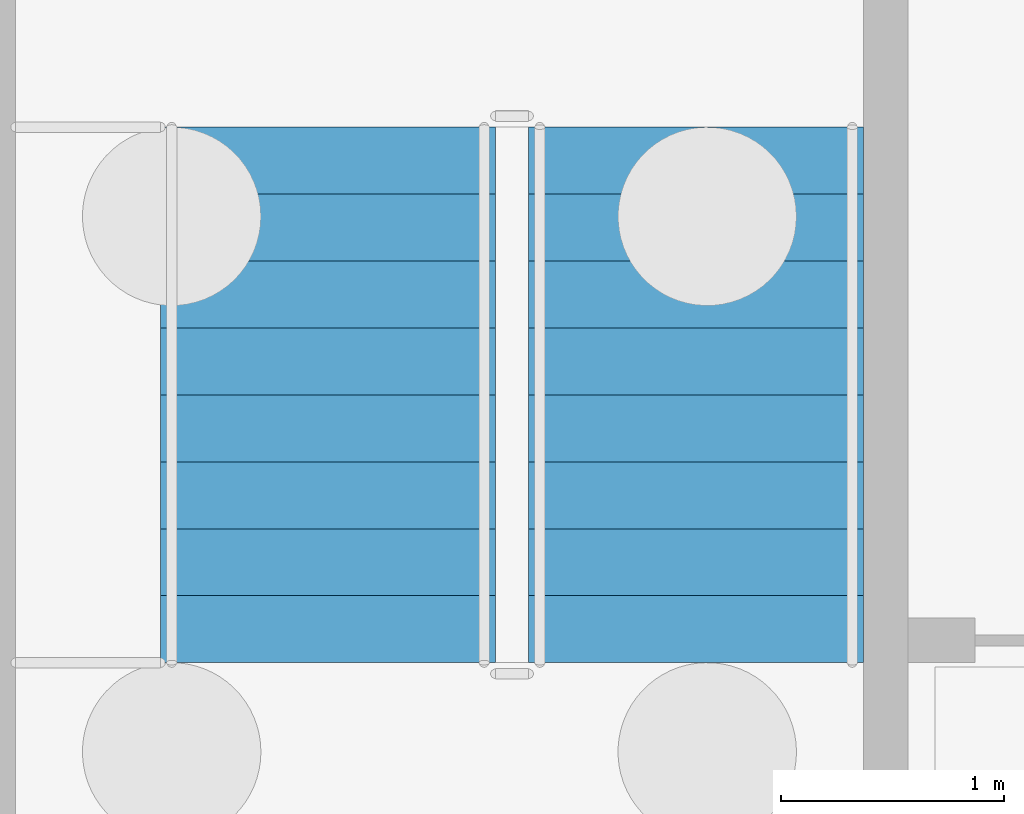
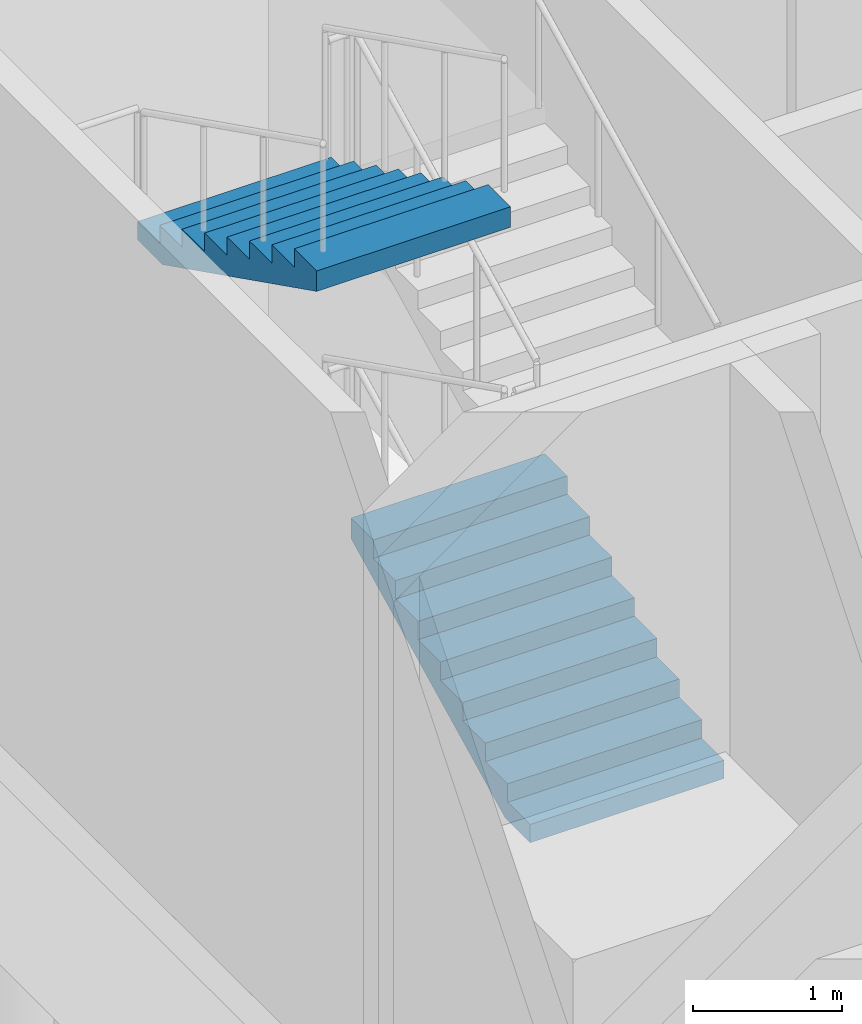
# One storey, part 65 of 129: 2 stair flights, 1 element without a shape of its own.
"""IFC4 building model written with IfcOpenShell, lengths in metres."""

from ifc_helpers import new_model, si_unit, direction, frame, origin, place, context, subcontext, project, spatial, faceted_brep, material, type_object, element, aggregate, save


model = new_model("IFC4")

# Units and contexts
model_context = context("Model", 3, precision=1e-05, world=origin(), true_north=direction((0.0, 1.0)))
body_context = subcontext(model_context, "Body", "Model", "MODEL_VIEW")
ifc_project = project(units=[si_unit("LENGTHUNIT", "METRE"), si_unit("AREAUNIT", "SQUARE_METRE"), si_unit("VOLUMEUNIT", "CUBIC_METRE"), si_unit("PLANEANGLEUNIT", "RADIAN"), si_unit("MASSUNIT", "GRAM", prefix="KILO")], contexts=[model_context])

# Site, building, storey
site_placement = place(None, origin())
site = spatial("IfcSite", under=ifc_project, at=site_placement, CompositionType="ELEMENT")
building_placement = place(site_placement, origin())
building = spatial("IfcBuilding", under=site, at=building_placement, Name="Kiln Court Media Centre", CompositionType="ELEMENT")
storey_placement = place(building_placement, origin())
storey = spatial("IfcBuildingStorey", under=building, at=storey_placement, Name="L00", CompositionType="ELEMENT", Elevation=0.0)

# Stair, stair flights
ifc_material_1 = material(Name="Concrete C40/50", Category="concrete")
stair_type = type_object("IfcStairType", Name="Concrete C40/50 dog-leg stair 1500 wide, 150 riser", PredefinedType="HALF_TURN_STAIR", material=ifc_material_1)
stair_placement = place(storey_placement, origin())
stair = element("IfcStair", 1, at=stair_placement, inside=storey, type_object=stair_type, Name="ST-02 L00", PredefinedType="HALF_TURN_STAIR")
ifc_material_2 = material(Name="Concrete C40/50", Category="concrete")
stair_flight_type = type_object("IfcStairFlightType", Name="Concrete C40/50 stair flight 1500 wide, 150 riser, 300 going", PredefinedType="STRAIGHT", material=ifc_material_2)
stair_flight_1_placement = place(storey_placement, frame((3.25, 18.89990234375, 0.0), z_axis=(0.0, 0.0, 1.0), x_axis=(0.0, 1.0, 0.0)))
stair_flight_1 = element("IfcStairFlight", 2, at=stair_flight_1_placement, type_object=stair_flight_type, Name="L00-ST-5001 flight 5004", NumberOfRisers=9, NumberOfTreads=8, PredefinedType="STRAIGHT", RiserHeight=0.15, TreadLength=0.3, context=body_context, shape_type="Brep", body=[
    faceted_brep([(0.335205078125, -0.75, 0.0), (2.39990234375, -0.75, 1.032470703125), (2.39990234375, -0.75, 1.199951171875), (2.10009765625, -0.75, 1.199951171875), (2.10009765625, -0.75, 1.050048828125), (1.800048828125, -0.75, 1.050048828125), (1.800048828125, -0.75, 0.89990234375), (1.5, -0.75, 0.89990234375), (1.5, -0.75, 0.75), (1.199951171875, -0.75, 0.75), (1.199951171875, -0.75, 0.60009765625), (0.89990234375, -0.75, 0.60009765625), (0.89990234375, -0.75, 0.449951171875), (0.60009765625, -0.75, 0.449951171875), (0.60009765625, -0.75, 0.300048828125), (0.300048828125, -0.75, 0.300048828125), (0.300048828125, -0.75, 0.14990234375), (0.0, -0.75, 0.14990234375), (0.0, -0.75, 0.0), (0.0, 0.75, 0.0), (0.0, 0.75, 0.14990234375), (0.300048828125, 0.75, 0.14990234375), (0.300048828125, 0.75, 0.300048828125), (0.60009765625, 0.75, 0.300048828125), (0.60009765625, 0.75, 0.449951171875), (0.89990234375, 0.75, 0.449951171875), (0.89990234375, 0.75, 0.60009765625), (1.199951171875, 0.75, 0.60009765625), (1.199951171875, 0.75, 0.75), (1.5, 0.75, 0.75), (1.5, 0.75, 0.89990234375), (1.800048828125, 0.75, 0.89990234375), (1.800048828125, 0.75, 1.050048828125), (2.10009765625, 0.75, 1.050048828125), (2.10009765625, 0.75, 1.199951171875), (2.39990234375, 0.75, 1.199951171875), (2.39990234375, 0.75, 1.032470703125), (0.335205078125, 0.75, 0.0), (2.39990234375, 0.10009765625, 1.032470703125), (0.335205078125, 0.10009765625, 0.0), (2.39990234375, 0.080078125, 1.032470703125), (0.335205078125, 0.080078125, 0.0), (2.39990234375, 0.06005859375, 1.032470703125), (0.335205078125, 0.06005859375, 0.0), (2.39990234375, 0.0400390625, 1.032470703125), (0.335205078125, 0.0400390625, 0.0), (2.39990234375, 0.02001953125, 1.032470703125), (0.335205078125, 0.02001953125, 0.0), (2.39990234375, 0.0, 1.032470703125), (0.335205078125, 0.0, 0.0), (2.39990234375, -0.02001953125, 1.032470703125), (0.335205078125, -0.02001953125, 0.0), (2.39990234375, -0.0400390625, 1.032470703125), (0.335205078125, -0.0400390625, 0.0), (2.39990234375, -0.06005859375, 1.032470703125), (0.335205078125, -0.06005859375, 0.0), (2.39990234375, -0.080078125, 1.032470703125), (0.335205078125, -0.080078125, 0.0), (2.39990234375, -0.10009765625, 1.032470703125), (0.335205078125, -0.10009765625, 0.0), (2.39990234375, 0.10009765625, 1.199951171875), (2.39990234375, 0.080078125, 1.199951171875), (2.39990234375, 0.06005859375, 1.199951171875), (2.39990234375, 0.0400390625, 1.199951171875), (2.39990234375, 0.02001953125, 1.199951171875), (2.39990234375, 0.0, 1.199951171875), (2.39990234375, -0.02001953125, 1.199951171875), (2.39990234375, -0.0400390625, 1.199951171875), (2.39990234375, -0.06005859375, 1.199951171875), (2.39990234375, -0.080078125, 1.199951171875), (2.39990234375, -0.10009765625, 1.199951171875), (2.10009765625, 0.10009765625, 1.199951171875), (2.10009765625, 0.080078125, 1.199951171875), (2.10009765625, 0.06005859375, 1.199951171875), (2.10009765625, 0.0400390625, 1.199951171875), (2.10009765625, 0.02001953125, 1.199951171875), (2.10009765625, 0.0, 1.199951171875), (2.10009765625, -0.02001953125, 1.199951171875), (2.10009765625, -0.0400390625, 1.199951171875), (2.10009765625, -0.06005859375, 1.199951171875), (2.10009765625, -0.080078125, 1.199951171875), (2.10009765625, -0.10009765625, 1.199951171875), (2.10009765625, 0.10009765625, 1.050048828125), (2.10009765625, 0.080078125, 1.050048828125), (2.10009765625, 0.06005859375, 1.050048828125), (2.10009765625, 0.0400390625, 1.050048828125), (2.10009765625, 0.02001953125, 1.050048828125), (2.10009765625, 0.0, 1.050048828125), (2.10009765625, -0.02001953125, 1.050048828125), (2.10009765625, -0.0400390625, 1.050048828125), (2.10009765625, -0.06005859375, 1.050048828125), (2.10009765625, -0.080078125, 1.050048828125), (2.10009765625, -0.10009765625, 1.050048828125), (1.800048828125, 0.10009765625, 1.050048828125), (1.800048828125, 0.080078125, 1.050048828125), (1.800048828125, 0.06005859375, 1.050048828125), (1.800048828125, 0.0400390625, 1.050048828125), (1.800048828125, 0.02001953125, 1.050048828125), (1.800048828125, 0.0, 1.050048828125), (1.800048828125, -0.02001953125, 1.050048828125), (1.800048828125, -0.0400390625, 1.050048828125), (1.800048828125, -0.06005859375, 1.050048828125), (1.800048828125, -0.080078125, 1.050048828125), (1.800048828125, -0.10009765625, 1.050048828125), (1.800048828125, 0.10009765625, 0.89990234375), (1.800048828125, 0.080078125, 0.89990234375), (1.800048828125, 0.06005859375, 0.89990234375), (1.800048828125, 0.0400390625, 0.89990234375), (1.800048828125, 0.02001953125, 0.89990234375), (1.800048828125, 0.0, 0.89990234375), (1.800048828125, -0.02001953125, 0.89990234375), (1.800048828125, -0.0400390625, 0.89990234375), (1.800048828125, -0.06005859375, 0.89990234375), (1.800048828125, -0.080078125, 0.89990234375), (1.800048828125, -0.10009765625, 0.89990234375), (1.5, 0.10009765625, 0.89990234375), (1.5, 0.080078125, 0.89990234375), (1.5, 0.06005859375, 0.89990234375), (1.5, 0.0400390625, 0.89990234375), (1.5, 0.02001953125, 0.89990234375), (1.5, 0.0, 0.89990234375), (1.5, -0.02001953125, 0.89990234375), (1.5, -0.0400390625, 0.89990234375), (1.5, -0.06005859375, 0.89990234375), (1.5, -0.080078125, 0.89990234375), (1.5, -0.10009765625, 0.89990234375), (1.5, 0.10009765625, 0.75), (1.5, 0.080078125, 0.75), (1.5, 0.06005859375, 0.75), (1.5, 0.0400390625, 0.75), (1.5, 0.02001953125, 0.75), (1.5, 0.0, 0.75), (1.5, -0.02001953125, 0.75), (1.5, -0.0400390625, 0.75), (1.5, -0.06005859375, 0.75), (1.5, -0.080078125, 0.75), (1.5, -0.10009765625, 0.75), (1.199951171875, 0.10009765625, 0.75), (1.199951171875, 0.080078125, 0.75), (1.199951171875, 0.06005859375, 0.75), (1.199951171875, 0.0400390625, 0.75), (1.199951171875, 0.02001953125, 0.75), (1.199951171875, 0.0, 0.75), (1.199951171875, -0.02001953125, 0.75), (1.199951171875, -0.0400390625, 0.75), (1.199951171875, -0.06005859375, 0.75), (1.199951171875, -0.080078125, 0.75), (1.199951171875, -0.10009765625, 0.75), (1.199951171875, 0.10009765625, 0.60009765625), (1.199951171875, 0.080078125, 0.60009765625), (1.199951171875, 0.06005859375, 0.60009765625), (1.199951171875, 0.0400390625, 0.60009765625), (1.199951171875, 0.02001953125, 0.60009765625), (1.199951171875, 0.0, 0.60009765625), (1.199951171875, -0.02001953125, 0.60009765625), (1.199951171875, -0.0400390625, 0.60009765625), (1.199951171875, -0.06005859375, 0.60009765625), (1.199951171875, -0.080078125, 0.60009765625), (1.199951171875, -0.10009765625, 0.60009765625), (0.89990234375, 0.10009765625, 0.60009765625), (0.89990234375, 0.080078125, 0.60009765625), (0.89990234375, 0.06005859375, 0.60009765625), (0.89990234375, 0.0400390625, 0.60009765625), (0.89990234375, 0.02001953125, 0.60009765625), (0.89990234375, 0.0, 0.60009765625), (0.89990234375, -0.02001953125, 0.60009765625), (0.89990234375, -0.0400390625, 0.60009765625), (0.89990234375, -0.06005859375, 0.60009765625), (0.89990234375, -0.080078125, 0.60009765625), (0.89990234375, -0.10009765625, 0.60009765625), (0.89990234375, 0.10009765625, 0.449951171875), (0.89990234375, 0.080078125, 0.449951171875), (0.89990234375, 0.06005859375, 0.449951171875), (0.89990234375, 0.0400390625, 0.449951171875), (0.89990234375, 0.02001953125, 0.449951171875), (0.89990234375, 0.0, 0.449951171875), (0.89990234375, -0.02001953125, 0.449951171875), (0.89990234375, -0.0400390625, 0.449951171875), (0.89990234375, -0.06005859375, 0.449951171875), (0.89990234375, -0.080078125, 0.449951171875), (0.89990234375, -0.10009765625, 0.449951171875), (0.60009765625, 0.10009765625, 0.449951171875), (0.60009765625, 0.080078125, 0.449951171875), (0.60009765625, 0.06005859375, 0.449951171875), (0.60009765625, 0.0400390625, 0.449951171875), (0.60009765625, 0.02001953125, 0.449951171875), (0.60009765625, 0.0, 0.449951171875), (0.60009765625, -0.02001953125, 0.449951171875), (0.60009765625, -0.0400390625, 0.449951171875), (0.60009765625, -0.06005859375, 0.449951171875), (0.60009765625, -0.080078125, 0.449951171875), (0.60009765625, -0.10009765625, 0.449951171875), (0.60009765625, 0.10009765625, 0.300048828125), (0.60009765625, 0.080078125, 0.300048828125), (0.60009765625, 0.06005859375, 0.300048828125), (0.60009765625, 0.0400390625, 0.300048828125), (0.60009765625, 0.02001953125, 0.300048828125), (0.60009765625, 0.0, 0.300048828125), (0.60009765625, -0.02001953125, 0.300048828125), (0.60009765625, -0.0400390625, 0.300048828125), (0.60009765625, -0.06005859375, 0.300048828125), (0.60009765625, -0.080078125, 0.300048828125), (0.60009765625, -0.10009765625, 0.300048828125), (0.300048828125, 0.10009765625, 0.300048828125), (0.300048828125, 0.080078125, 0.300048828125), (0.300048828125, 0.06005859375, 0.300048828125), (0.300048828125, 0.0400390625, 0.300048828125), (0.300048828125, 0.02001953125, 0.300048828125), (0.300048828125, 0.0, 0.300048828125), (0.300048828125, -0.02001953125, 0.300048828125), (0.300048828125, -0.0400390625, 0.300048828125), (0.300048828125, -0.06005859375, 0.300048828125), (0.300048828125, -0.080078125, 0.300048828125), (0.300048828125, -0.10009765625, 0.300048828125), (0.300048828125, 0.10009765625, 0.14990234375), (0.300048828125, 0.080078125, 0.14990234375), (0.300048828125, 0.06005859375, 0.14990234375), (0.300048828125, 0.0400390625, 0.14990234375), (0.300048828125, 0.02001953125, 0.14990234375), (0.300048828125, 0.0, 0.14990234375), (0.300048828125, -0.02001953125, 0.14990234375), (0.300048828125, -0.0400390625, 0.14990234375), (0.300048828125, -0.06005859375, 0.14990234375), (0.300048828125, -0.080078125, 0.14990234375), (0.300048828125, -0.10009765625, 0.14990234375), (0.0, 0.10009765625, 0.14990234375), (0.0, 0.080078125, 0.14990234375), (0.0, 0.06005859375, 0.14990234375), (0.0, 0.0400390625, 0.14990234375), (0.0, 0.02001953125, 0.14990234375), (0.0, 0.0, 0.14990234375), (0.0, -0.02001953125, 0.14990234375), (0.0, -0.0400390625, 0.14990234375), (0.0, -0.06005859375, 0.14990234375), (0.0, -0.080078125, 0.14990234375), (0.0, -0.10009765625, 0.14990234375), (0.0, 0.10009765625, 0.0), (0.0, 0.080078125, 0.0), (0.0, 0.06005859375, 0.0), (0.0, 0.0400390625, 0.0), (0.0, 0.02001953125, 0.0), (0.0, 0.0, 0.0), (0.0, -0.02001953125, 0.0), (0.0, -0.0400390625, 0.0), (0.0, -0.06005859375, 0.0), (0.0, -0.080078125, 0.0), (0.0, -0.10009765625, 0.0)], [[[0, 1, 2, 3, 4, 5, 6, 7, 8, 9, 10, 11, 12, 13, 14, 15, 16, 17, 18]], [[19, 20, 21, 22, 23, 24, 25, 26, 27, 28, 29, 30, 31, 32, 33, 34, 35, 36, 37]], [[37, 36, 38, 39]], [[39, 38, 40, 41]], [[41, 40, 42, 43]], [[43, 42, 44, 45]], [[45, 44, 46, 47]], [[47, 46, 48, 49]], [[49, 48, 50, 51]], [[51, 50, 52, 53]], [[53, 52, 54, 55]], [[55, 54, 56, 57]], [[57, 56, 58, 59]], [[59, 58, 1, 0]], [[36, 35, 60, 38]], [[38, 60, 61, 40]], [[40, 61, 62, 42]], [[42, 62, 63, 44]], [[44, 63, 64, 46]], [[46, 64, 65, 48]], [[48, 65, 66, 50]], [[50, 66, 67, 52]], [[52, 67, 68, 54]], [[54, 68, 69, 56]], [[56, 69, 70, 58]], [[58, 70, 2, 1]], [[35, 34, 71, 60]], [[60, 71, 72, 61]], [[61, 72, 73, 62]], [[62, 73, 74, 63]], [[63, 74, 75, 64]], [[64, 75, 76, 65]], [[65, 76, 77, 66]], [[66, 77, 78, 67]], [[67, 78, 79, 68]], [[68, 79, 80, 69]], [[69, 80, 81, 70]], [[70, 81, 3, 2]], [[34, 33, 82, 71]], [[71, 82, 83, 72]], [[72, 83, 84, 73]], [[73, 84, 85, 74]], [[74, 85, 86, 75]], [[75, 86, 87, 76]], [[76, 87, 88, 77]], [[77, 88, 89, 78]], [[78, 89, 90, 79]], [[79, 90, 91, 80]], [[80, 91, 92, 81]], [[81, 92, 4, 3]], [[33, 32, 93, 82]], [[82, 93, 94, 83]], [[83, 94, 95, 84]], [[84, 95, 96, 85]], [[85, 96, 97, 86]], [[86, 97, 98, 87]], [[87, 98, 99, 88]], [[88, 99, 100, 89]], [[89, 100, 101, 90]], [[90, 101, 102, 91]], [[91, 102, 103, 92]], [[92, 103, 5, 4]], [[32, 31, 104, 93]], [[93, 104, 105, 94]], [[94, 105, 106, 95]], [[95, 106, 107, 96]], [[96, 107, 108, 97]], [[97, 108, 109, 98]], [[98, 109, 110, 99]], [[99, 110, 111, 100]], [[100, 111, 112, 101]], [[101, 112, 113, 102]], [[102, 113, 114, 103]], [[103, 114, 6, 5]], [[31, 30, 115, 104]], [[104, 115, 116, 105]], [[105, 116, 117, 106]], [[106, 117, 118, 107]], [[107, 118, 119, 108]], [[108, 119, 120, 109]], [[109, 120, 121, 110]], [[110, 121, 122, 111]], [[111, 122, 123, 112]], [[112, 123, 124, 113]], [[113, 124, 125, 114]], [[114, 125, 7, 6]], [[30, 29, 126, 115]], [[115, 126, 127, 116]], [[116, 127, 128, 117]], [[117, 128, 129, 118]], [[118, 129, 130, 119]], [[119, 130, 131, 120]], [[120, 131, 132, 121]], [[121, 132, 133, 122]], [[122, 133, 134, 123]], [[123, 134, 135, 124]], [[124, 135, 136, 125]], [[125, 136, 8, 7]], [[29, 28, 137, 126]], [[126, 137, 138, 127]], [[127, 138, 139, 128]], [[128, 139, 140, 129]], [[129, 140, 141, 130]], [[130, 141, 142, 131]], [[131, 142, 143, 132]], [[132, 143, 144, 133]], [[133, 144, 145, 134]], [[134, 145, 146, 135]], [[135, 146, 147, 136]], [[136, 147, 9, 8]], [[28, 27, 148, 137]], [[137, 148, 149, 138]], [[138, 149, 150, 139]], [[139, 150, 151, 140]], [[140, 151, 152, 141]], [[141, 152, 153, 142]], [[142, 153, 154, 143]], [[143, 154, 155, 144]], [[144, 155, 156, 145]], [[145, 156, 157, 146]], [[146, 157, 158, 147]], [[147, 158, 10, 9]], [[27, 26, 159, 148]], [[148, 159, 160, 149]], [[149, 160, 161, 150]], [[150, 161, 162, 151]], [[151, 162, 163, 152]], [[152, 163, 164, 153]], [[153, 164, 165, 154]], [[154, 165, 166, 155]], [[155, 166, 167, 156]], [[156, 167, 168, 157]], [[157, 168, 169, 158]], [[158, 169, 11, 10]], [[26, 25, 170, 159]], [[159, 170, 171, 160]], [[160, 171, 172, 161]], [[161, 172, 173, 162]], [[162, 173, 174, 163]], [[163, 174, 175, 164]], [[164, 175, 176, 165]], [[165, 176, 177, 166]], [[166, 177, 178, 167]], [[167, 178, 179, 168]], [[168, 179, 180, 169]], [[169, 180, 12, 11]], [[25, 24, 181, 170]], [[170, 181, 182, 171]], [[171, 182, 183, 172]], [[172, 183, 184, 173]], [[173, 184, 185, 174]], [[174, 185, 186, 175]], [[175, 186, 187, 176]], [[176, 187, 188, 177]], [[177, 188, 189, 178]], [[178, 189, 190, 179]], [[179, 190, 191, 180]], [[180, 191, 13, 12]], [[24, 23, 192, 181]], [[181, 192, 193, 182]], [[182, 193, 194, 183]], [[183, 194, 195, 184]], [[184, 195, 196, 185]], [[185, 196, 197, 186]], [[186, 197, 198, 187]], [[187, 198, 199, 188]], [[188, 199, 200, 189]], [[189, 200, 201, 190]], [[190, 201, 202, 191]], [[191, 202, 14, 13]], [[23, 22, 203, 192]], [[192, 203, 204, 193]], [[193, 204, 205, 194]], [[194, 205, 206, 195]], [[195, 206, 207, 196]], [[196, 207, 208, 197]], [[197, 208, 209, 198]], [[198, 209, 210, 199]], [[199, 210, 211, 200]], [[200, 211, 212, 201]], [[201, 212, 213, 202]], [[202, 213, 15, 14]], [[22, 21, 214, 203]], [[203, 214, 215, 204]], [[204, 215, 216, 205]], [[205, 216, 217, 206]], [[206, 217, 218, 207]], [[207, 218, 219, 208]], [[208, 219, 220, 209]], [[209, 220, 221, 210]], [[210, 221, 222, 211]], [[211, 222, 223, 212]], [[212, 223, 224, 213]], [[213, 224, 16, 15]], [[21, 20, 225, 214]], [[214, 225, 226, 215]], [[215, 226, 227, 216]], [[216, 227, 228, 217]], [[217, 228, 229, 218]], [[218, 229, 230, 219]], [[219, 230, 231, 220]], [[220, 231, 232, 221]], [[221, 232, 233, 222]], [[222, 233, 234, 223]], [[223, 234, 235, 224]], [[224, 235, 17, 16]], [[20, 19, 236, 225]], [[225, 236, 237, 226]], [[226, 237, 238, 227]], [[227, 238, 239, 228]], [[228, 239, 240, 229]], [[229, 240, 241, 230]], [[230, 241, 242, 231]], [[231, 242, 243, 232]], [[232, 243, 244, 233]], [[233, 244, 245, 234]], [[234, 245, 246, 235]], [[235, 246, 18, 17]], [[19, 37, 39, 236]], [[236, 39, 41, 237]], [[237, 41, 43, 238]], [[238, 43, 45, 239]], [[239, 45, 47, 240]], [[240, 47, 49, 241]], [[241, 49, 51, 242]], [[242, 51, 53, 243]], [[243, 53, 55, 244]], [[244, 55, 57, 245]], [[245, 57, 59, 246]], [[246, 59, 0, 18]]]),
])
stair_flight_2_placement = place(storey_placement, frame((1.60009765625, 21.300048828125, 4.050048828125), z_axis=(0.0, 0.0, 1.0), x_axis=(0.0, -1.0, 0.0)))
stair_flight_2 = element("IfcStairFlight", 3, at=stair_flight_2_placement, type_object=stair_flight_type, Name="L00-ST-5001 flight 5007", NumberOfRisers=9, NumberOfTreads=8, PredefinedType="STRAIGHT", RiserHeight=0.15, TreadLength=0.3, context=body_context, shape_type="Brep", body=[
    faceted_brep([(0.335205078125, -0.75, 0.0), (2.39990234375, -0.75, 1.032470703125), (2.39990234375, -0.75, 1.199951171875), (2.10009765625, -0.75, 1.199951171875), (2.10009765625, -0.75, 1.050048828125), (1.800048828125, -0.75, 1.050048828125), (1.800048828125, -0.75, 0.89990234375), (1.5, -0.75, 0.89990234375), (1.5, -0.75, 0.75), (1.199951171875, -0.75, 0.75), (1.199951171875, -0.75, 0.60009765625), (0.89990234375, -0.75, 0.60009765625), (0.89990234375, -0.75, 0.449951171875), (0.60009765625, -0.75, 0.449951171875), (0.60009765625, -0.75, 0.300048828125), (0.300048828125, -0.75, 0.300048828125), (0.300048828125, -0.75, 0.14990234375), (0.0, -0.75, 0.14990234375), (0.0, -0.75, 0.0), (0.0, 0.75, 0.0), (0.0, 0.75, 0.14990234375), (0.300048828125, 0.75, 0.14990234375), (0.300048828125, 0.75, 0.300048828125), (0.60009765625, 0.75, 0.300048828125), (0.60009765625, 0.75, 0.449951171875), (0.89990234375, 0.75, 0.449951171875), (0.89990234375, 0.75, 0.60009765625), (1.199951171875, 0.75, 0.60009765625), (1.199951171875, 0.75, 0.75), (1.5, 0.75, 0.75), (1.5, 0.75, 0.89990234375), (1.800048828125, 0.75, 0.89990234375), (1.800048828125, 0.75, 1.050048828125), (2.10009765625, 0.75, 1.050048828125), (2.10009765625, 0.75, 1.199951171875), (2.39990234375, 0.75, 1.199951171875), (2.39990234375, 0.75, 1.032470703125), (0.335205078125, 0.75, 0.0), (2.39990234375, 0.10009765625, 1.032470703125), (0.335205078125, 0.10009765625, 0.0), (2.39990234375, 0.080078125, 1.032470703125), (0.335205078125, 0.080078125, 0.0), (2.39990234375, 0.06005859375, 1.032470703125), (0.335205078125, 0.06005859375, 0.0), (2.39990234375, 0.0400390625, 1.032470703125), (0.335205078125, 0.0400390625, 0.0), (2.39990234375, 0.02001953125, 1.032470703125), (0.335205078125, 0.02001953125, 0.0), (2.39990234375, 0.0, 1.032470703125), (0.335205078125, 0.0, 0.0), (2.39990234375, -0.02001953125, 1.032470703125), (0.335205078125, -0.02001953125, 0.0), (2.39990234375, -0.0400390625, 1.032470703125), (0.335205078125, -0.0400390625, 0.0), (2.39990234375, -0.06005859375, 1.032470703125), (0.335205078125, -0.06005859375, 0.0), (2.39990234375, -0.080078125, 1.032470703125), (0.335205078125, -0.080078125, 0.0), (2.39990234375, -0.10009765625, 1.032470703125), (0.335205078125, -0.10009765625, 0.0), (2.39990234375, 0.10009765625, 1.199951171875), (2.39990234375, 0.080078125, 1.199951171875), (2.39990234375, 0.06005859375, 1.199951171875), (2.39990234375, 0.0400390625, 1.199951171875), (2.39990234375, 0.02001953125, 1.199951171875), (2.39990234375, 0.0, 1.199951171875), (2.39990234375, -0.02001953125, 1.199951171875), (2.39990234375, -0.0400390625, 1.199951171875), (2.39990234375, -0.06005859375, 1.199951171875), (2.39990234375, -0.080078125, 1.199951171875), (2.39990234375, -0.10009765625, 1.199951171875), (2.10009765625, 0.10009765625, 1.199951171875), (2.10009765625, 0.080078125, 1.199951171875), (2.10009765625, 0.06005859375, 1.199951171875), (2.10009765625, 0.0400390625, 1.199951171875), (2.10009765625, 0.02001953125, 1.199951171875), (2.10009765625, 0.0, 1.199951171875), (2.10009765625, -0.02001953125, 1.199951171875), (2.10009765625, -0.0400390625, 1.199951171875), (2.10009765625, -0.06005859375, 1.199951171875), (2.10009765625, -0.080078125, 1.199951171875), (2.10009765625, -0.10009765625, 1.199951171875), (2.10009765625, 0.10009765625, 1.050048828125), (2.10009765625, 0.080078125, 1.050048828125), (2.10009765625, 0.06005859375, 1.050048828125), (2.10009765625, 0.0400390625, 1.050048828125), (2.10009765625, 0.02001953125, 1.050048828125), (2.10009765625, 0.0, 1.050048828125), (2.10009765625, -0.02001953125, 1.050048828125), (2.10009765625, -0.0400390625, 1.050048828125), (2.10009765625, -0.06005859375, 1.050048828125), (2.10009765625, -0.080078125, 1.050048828125), (2.10009765625, -0.10009765625, 1.050048828125), (1.800048828125, 0.10009765625, 1.050048828125), (1.800048828125, 0.080078125, 1.050048828125), (1.800048828125, 0.06005859375, 1.050048828125), (1.800048828125, 0.0400390625, 1.050048828125), (1.800048828125, 0.02001953125, 1.050048828125), (1.800048828125, 0.0, 1.050048828125), (1.800048828125, -0.02001953125, 1.050048828125), (1.800048828125, -0.0400390625, 1.050048828125), (1.800048828125, -0.06005859375, 1.050048828125), (1.800048828125, -0.080078125, 1.050048828125), (1.800048828125, -0.10009765625, 1.050048828125), (1.800048828125, 0.10009765625, 0.89990234375), (1.800048828125, 0.080078125, 0.89990234375), (1.800048828125, 0.06005859375, 0.89990234375), (1.800048828125, 0.0400390625, 0.89990234375), (1.800048828125, 0.02001953125, 0.89990234375), (1.800048828125, 0.0, 0.89990234375), (1.800048828125, -0.02001953125, 0.89990234375), (1.800048828125, -0.0400390625, 0.89990234375), (1.800048828125, -0.06005859375, 0.89990234375), (1.800048828125, -0.080078125, 0.89990234375), (1.800048828125, -0.10009765625, 0.89990234375), (1.5, 0.10009765625, 0.89990234375), (1.5, 0.080078125, 0.89990234375), (1.5, 0.06005859375, 0.89990234375), (1.5, 0.0400390625, 0.89990234375), (1.5, 0.02001953125, 0.89990234375), (1.5, 0.0, 0.89990234375), (1.5, -0.02001953125, 0.89990234375), (1.5, -0.0400390625, 0.89990234375), (1.5, -0.06005859375, 0.89990234375), (1.5, -0.080078125, 0.89990234375), (1.5, -0.10009765625, 0.89990234375), (1.5, 0.10009765625, 0.75), (1.5, 0.080078125, 0.75), (1.5, 0.06005859375, 0.75), (1.5, 0.0400390625, 0.75), (1.5, 0.02001953125, 0.75), (1.5, 0.0, 0.75), (1.5, -0.02001953125, 0.75), (1.5, -0.0400390625, 0.75), (1.5, -0.06005859375, 0.75), (1.5, -0.080078125, 0.75), (1.5, -0.10009765625, 0.75), (1.199951171875, 0.10009765625, 0.75), (1.199951171875, 0.080078125, 0.75), (1.199951171875, 0.06005859375, 0.75), (1.199951171875, 0.0400390625, 0.75), (1.199951171875, 0.02001953125, 0.75), (1.199951171875, 0.0, 0.75), (1.199951171875, -0.02001953125, 0.75), (1.199951171875, -0.0400390625, 0.75), (1.199951171875, -0.06005859375, 0.75), (1.199951171875, -0.080078125, 0.75), (1.199951171875, -0.10009765625, 0.75), (1.199951171875, 0.10009765625, 0.60009765625), (1.199951171875, 0.080078125, 0.60009765625), (1.199951171875, 0.06005859375, 0.60009765625), (1.199951171875, 0.0400390625, 0.60009765625), (1.199951171875, 0.02001953125, 0.60009765625), (1.199951171875, 0.0, 0.60009765625), (1.199951171875, -0.02001953125, 0.60009765625), (1.199951171875, -0.0400390625, 0.60009765625), (1.199951171875, -0.06005859375, 0.60009765625), (1.199951171875, -0.080078125, 0.60009765625), (1.199951171875, -0.10009765625, 0.60009765625), (0.89990234375, 0.10009765625, 0.60009765625), (0.89990234375, 0.080078125, 0.60009765625), (0.89990234375, 0.06005859375, 0.60009765625), (0.89990234375, 0.0400390625, 0.60009765625), (0.89990234375, 0.02001953125, 0.60009765625), (0.89990234375, 0.0, 0.60009765625), (0.89990234375, -0.02001953125, 0.60009765625), (0.89990234375, -0.0400390625, 0.60009765625), (0.89990234375, -0.06005859375, 0.60009765625), (0.89990234375, -0.080078125, 0.60009765625), (0.89990234375, -0.10009765625, 0.60009765625), (0.89990234375, 0.10009765625, 0.449951171875), (0.89990234375, 0.080078125, 0.449951171875), (0.89990234375, 0.06005859375, 0.449951171875), (0.89990234375, 0.0400390625, 0.449951171875), (0.89990234375, 0.02001953125, 0.449951171875), (0.89990234375, 0.0, 0.449951171875), (0.89990234375, -0.02001953125, 0.449951171875), (0.89990234375, -0.0400390625, 0.449951171875), (0.89990234375, -0.06005859375, 0.449951171875), (0.89990234375, -0.080078125, 0.449951171875), (0.89990234375, -0.10009765625, 0.449951171875), (0.60009765625, 0.10009765625, 0.449951171875), (0.60009765625, 0.080078125, 0.449951171875), (0.60009765625, 0.06005859375, 0.449951171875), (0.60009765625, 0.0400390625, 0.449951171875), (0.60009765625, 0.02001953125, 0.449951171875), (0.60009765625, 0.0, 0.449951171875), (0.60009765625, -0.02001953125, 0.449951171875), (0.60009765625, -0.0400390625, 0.449951171875), (0.60009765625, -0.06005859375, 0.449951171875), (0.60009765625, -0.080078125, 0.449951171875), (0.60009765625, -0.10009765625, 0.449951171875), (0.60009765625, 0.10009765625, 0.300048828125), (0.60009765625, 0.080078125, 0.300048828125), (0.60009765625, 0.06005859375, 0.300048828125), (0.60009765625, 0.0400390625, 0.300048828125), (0.60009765625, 0.02001953125, 0.300048828125), (0.60009765625, 0.0, 0.300048828125), (0.60009765625, -0.02001953125, 0.300048828125), (0.60009765625, -0.0400390625, 0.300048828125), (0.60009765625, -0.06005859375, 0.300048828125), (0.60009765625, -0.080078125, 0.300048828125), (0.60009765625, -0.10009765625, 0.300048828125), (0.300048828125, 0.10009765625, 0.300048828125), (0.300048828125, 0.080078125, 0.300048828125), (0.300048828125, 0.06005859375, 0.300048828125), (0.300048828125, 0.0400390625, 0.300048828125), (0.300048828125, 0.02001953125, 0.300048828125), (0.300048828125, 0.0, 0.300048828125), (0.300048828125, -0.02001953125, 0.300048828125), (0.300048828125, -0.0400390625, 0.300048828125), (0.300048828125, -0.06005859375, 0.300048828125), (0.300048828125, -0.080078125, 0.300048828125), (0.300048828125, -0.10009765625, 0.300048828125), (0.300048828125, 0.10009765625, 0.14990234375), (0.300048828125, 0.080078125, 0.14990234375), (0.300048828125, 0.06005859375, 0.14990234375), (0.300048828125, 0.0400390625, 0.14990234375), (0.300048828125, 0.02001953125, 0.14990234375), (0.300048828125, 0.0, 0.14990234375), (0.300048828125, -0.02001953125, 0.14990234375), (0.300048828125, -0.0400390625, 0.14990234375), (0.300048828125, -0.06005859375, 0.14990234375), (0.300048828125, -0.080078125, 0.14990234375), (0.300048828125, -0.10009765625, 0.14990234375), (0.0, 0.10009765625, 0.14990234375), (0.0, 0.080078125, 0.14990234375), (0.0, 0.06005859375, 0.14990234375), (0.0, 0.0400390625, 0.14990234375), (0.0, 0.02001953125, 0.14990234375), (0.0, 0.0, 0.14990234375), (0.0, -0.02001953125, 0.14990234375), (0.0, -0.0400390625, 0.14990234375), (0.0, -0.06005859375, 0.14990234375), (0.0, -0.080078125, 0.14990234375), (0.0, -0.10009765625, 0.14990234375), (0.0, 0.10009765625, 0.0), (0.0, 0.080078125, 0.0), (0.0, 0.06005859375, 0.0), (0.0, 0.0400390625, 0.0), (0.0, 0.02001953125, 0.0), (0.0, 0.0, 0.0), (0.0, -0.02001953125, 0.0), (0.0, -0.0400390625, 0.0), (0.0, -0.06005859375, 0.0), (0.0, -0.080078125, 0.0), (0.0, -0.10009765625, 0.0)], [[[0, 1, 2, 3, 4, 5, 6, 7, 8, 9, 10, 11, 12, 13, 14, 15, 16, 17, 18]], [[19, 20, 21, 22, 23, 24, 25, 26, 27, 28, 29, 30, 31, 32, 33, 34, 35, 36, 37]], [[37, 36, 38, 39]], [[39, 38, 40, 41]], [[41, 40, 42, 43]], [[43, 42, 44, 45]], [[45, 44, 46, 47]], [[47, 46, 48, 49]], [[49, 48, 50, 51]], [[51, 50, 52, 53]], [[53, 52, 54, 55]], [[55, 54, 56, 57]], [[57, 56, 58, 59]], [[59, 58, 1, 0]], [[36, 35, 60, 38]], [[38, 60, 61, 40]], [[40, 61, 62, 42]], [[42, 62, 63, 44]], [[44, 63, 64, 46]], [[46, 64, 65, 48]], [[48, 65, 66, 50]], [[50, 66, 67, 52]], [[52, 67, 68, 54]], [[54, 68, 69, 56]], [[56, 69, 70, 58]], [[58, 70, 2, 1]], [[35, 34, 71, 60]], [[60, 71, 72, 61]], [[61, 72, 73, 62]], [[62, 73, 74, 63]], [[63, 74, 75, 64]], [[64, 75, 76, 65]], [[65, 76, 77, 66]], [[66, 77, 78, 67]], [[67, 78, 79, 68]], [[68, 79, 80, 69]], [[69, 80, 81, 70]], [[70, 81, 3, 2]], [[34, 33, 82, 71]], [[71, 82, 83, 72]], [[72, 83, 84, 73]], [[73, 84, 85, 74]], [[74, 85, 86, 75]], [[75, 86, 87, 76]], [[76, 87, 88, 77]], [[77, 88, 89, 78]], [[78, 89, 90, 79]], [[79, 90, 91, 80]], [[80, 91, 92, 81]], [[81, 92, 4, 3]], [[33, 32, 93, 82]], [[82, 93, 94, 83]], [[83, 94, 95, 84]], [[84, 95, 96, 85]], [[85, 96, 97, 86]], [[86, 97, 98, 87]], [[87, 98, 99, 88]], [[88, 99, 100, 89]], [[89, 100, 101, 90]], [[90, 101, 102, 91]], [[91, 102, 103, 92]], [[92, 103, 5, 4]], [[32, 31, 104, 93]], [[93, 104, 105, 94]], [[94, 105, 106, 95]], [[95, 106, 107, 96]], [[96, 107, 108, 97]], [[97, 108, 109, 98]], [[98, 109, 110, 99]], [[99, 110, 111, 100]], [[100, 111, 112, 101]], [[101, 112, 113, 102]], [[102, 113, 114, 103]], [[103, 114, 6, 5]], [[31, 30, 115, 104]], [[104, 115, 116, 105]], [[105, 116, 117, 106]], [[106, 117, 118, 107]], [[107, 118, 119, 108]], [[108, 119, 120, 109]], [[109, 120, 121, 110]], [[110, 121, 122, 111]], [[111, 122, 123, 112]], [[112, 123, 124, 113]], [[113, 124, 125, 114]], [[114, 125, 7, 6]], [[30, 29, 126, 115]], [[115, 126, 127, 116]], [[116, 127, 128, 117]], [[117, 128, 129, 118]], [[118, 129, 130, 119]], [[119, 130, 131, 120]], [[120, 131, 132, 121]], [[121, 132, 133, 122]], [[122, 133, 134, 123]], [[123, 134, 135, 124]], [[124, 135, 136, 125]], [[125, 136, 8, 7]], [[29, 28, 137, 126]], [[126, 137, 138, 127]], [[127, 138, 139, 128]], [[128, 139, 140, 129]], [[129, 140, 141, 130]], [[130, 141, 142, 131]], [[131, 142, 143, 132]], [[132, 143, 144, 133]], [[133, 144, 145, 134]], [[134, 145, 146, 135]], [[135, 146, 147, 136]], [[136, 147, 9, 8]], [[28, 27, 148, 137]], [[137, 148, 149, 138]], [[138, 149, 150, 139]], [[139, 150, 151, 140]], [[140, 151, 152, 141]], [[141, 152, 153, 142]], [[142, 153, 154, 143]], [[143, 154, 155, 144]], [[144, 155, 156, 145]], [[145, 156, 157, 146]], [[146, 157, 158, 147]], [[147, 158, 10, 9]], [[27, 26, 159, 148]], [[148, 159, 160, 149]], [[149, 160, 161, 150]], [[150, 161, 162, 151]], [[151, 162, 163, 152]], [[152, 163, 164, 153]], [[153, 164, 165, 154]], [[154, 165, 166, 155]], [[155, 166, 167, 156]], [[156, 167, 168, 157]], [[157, 168, 169, 158]], [[158, 169, 11, 10]], [[26, 25, 170, 159]], [[159, 170, 171, 160]], [[160, 171, 172, 161]], [[161, 172, 173, 162]], [[162, 173, 174, 163]], [[163, 174, 175, 164]], [[164, 175, 176, 165]], [[165, 176, 177, 166]], [[166, 177, 178, 167]], [[167, 178, 179, 168]], [[168, 179, 180, 169]], [[169, 180, 12, 11]], [[25, 24, 181, 170]], [[170, 181, 182, 171]], [[171, 182, 183, 172]], [[172, 183, 184, 173]], [[173, 184, 185, 174]], [[174, 185, 186, 175]], [[175, 186, 187, 176]], [[176, 187, 188, 177]], [[177, 188, 189, 178]], [[178, 189, 190, 179]], [[179, 190, 191, 180]], [[180, 191, 13, 12]], [[24, 23, 192, 181]], [[181, 192, 193, 182]], [[182, 193, 194, 183]], [[183, 194, 195, 184]], [[184, 195, 196, 185]], [[185, 196, 197, 186]], [[186, 197, 198, 187]], [[187, 198, 199, 188]], [[188, 199, 200, 189]], [[189, 200, 201, 190]], [[190, 201, 202, 191]], [[191, 202, 14, 13]], [[23, 22, 203, 192]], [[192, 203, 204, 193]], [[193, 204, 205, 194]], [[194, 205, 206, 195]], [[195, 206, 207, 196]], [[196, 207, 208, 197]], [[197, 208, 209, 198]], [[198, 209, 210, 199]], [[199, 210, 211, 200]], [[200, 211, 212, 201]], [[201, 212, 213, 202]], [[202, 213, 15, 14]], [[22, 21, 214, 203]], [[203, 214, 215, 204]], [[204, 215, 216, 205]], [[205, 216, 217, 206]], [[206, 217, 218, 207]], [[207, 218, 219, 208]], [[208, 219, 220, 209]], [[209, 220, 221, 210]], [[210, 221, 222, 211]], [[211, 222, 223, 212]], [[212, 223, 224, 213]], [[213, 224, 16, 15]], [[21, 20, 225, 214]], [[214, 225, 226, 215]], [[215, 226, 227, 216]], [[216, 227, 228, 217]], [[217, 228, 229, 218]], [[218, 229, 230, 219]], [[219, 230, 231, 220]], [[220, 231, 232, 221]], [[221, 232, 233, 222]], [[222, 233, 234, 223]], [[223, 234, 235, 224]], [[224, 235, 17, 16]], [[20, 19, 236, 225]], [[225, 236, 237, 226]], [[226, 237, 238, 227]], [[227, 238, 239, 228]], [[228, 239, 240, 229]], [[229, 240, 241, 230]], [[230, 241, 242, 231]], [[231, 242, 243, 232]], [[232, 243, 244, 233]], [[233, 244, 245, 234]], [[234, 245, 246, 235]], [[235, 246, 18, 17]], [[19, 37, 39, 236]], [[236, 39, 41, 237]], [[237, 41, 43, 238]], [[238, 43, 45, 239]], [[239, 45, 47, 240]], [[240, 47, 49, 241]], [[241, 49, 51, 242]], [[242, 51, 53, 243]], [[243, 53, 55, 244]], [[244, 55, 57, 245]], [[245, 57, 59, 246]], [[246, 59, 0, 18]]]),
])
aggregate(stair, [stair_flight_1, stair_flight_2])

save(model, "model.ifc")
